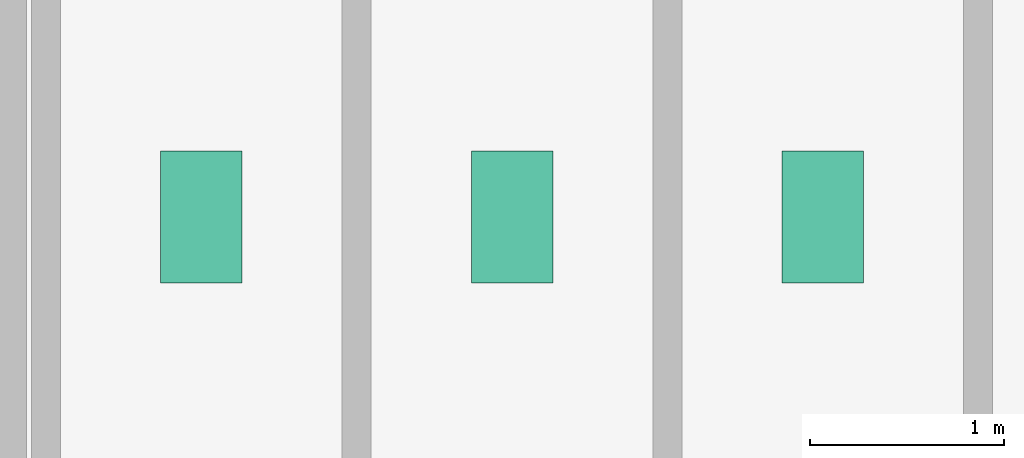
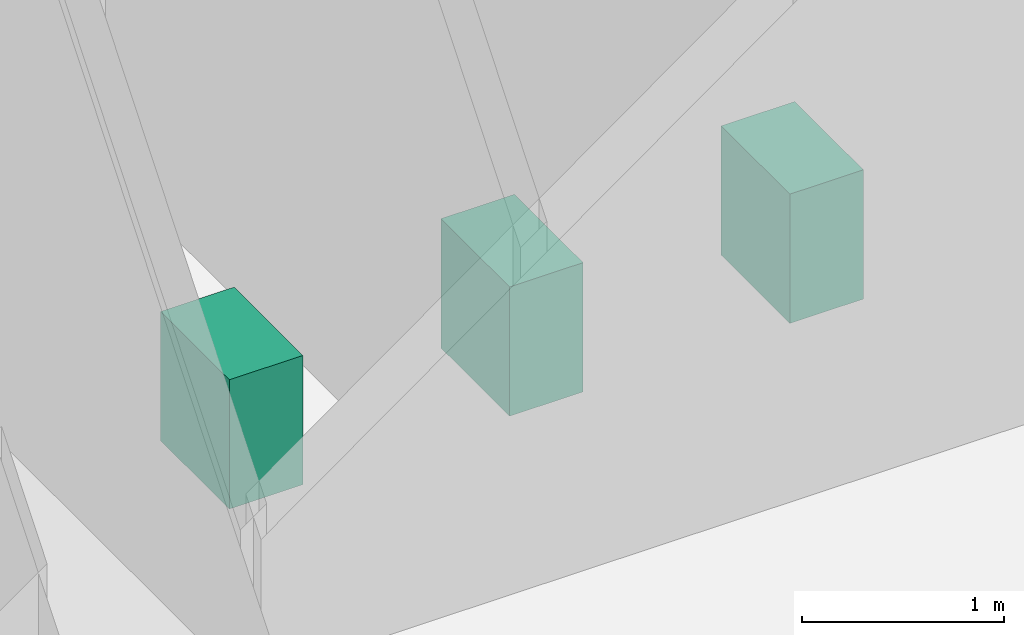
# One storey, part 22 of 22: 3 sanitary terminals.
"""IFC4 building model written with IfcOpenShell, lengths in metres."""

from ifc_helpers import new_model, si_unit, derived_unit, direction, frame, origin, origin_2d, place, context, subcontext, project, spatial, rectangle, extrude, source, transform, mapped, material, type_object, element, save


model = new_model("IFC4")

# Units and contexts
model_context = context("Model", 3, precision=1e-05, world=origin(), true_north=direction((0.0, 1.0)))
body_context = subcontext(model_context, "Body", "Model", "MODEL_VIEW")
ifc_project = project(units=[si_unit("LENGTHUNIT", "METRE"), si_unit("AREAUNIT", "SQUARE_METRE"), si_unit("VOLUMEUNIT", "CUBIC_METRE"), si_unit("PLANEANGLEUNIT", "RADIAN"), si_unit("MASSUNIT", "GRAM", prefix="KILO"), derived_unit("THERMALTRANSMITTANCEUNIT", [(si_unit("POWERUNIT", "WATT"), 1), (si_unit("LENGTHUNIT", "METRE"), -2), (si_unit("THERMODYNAMICTEMPERATUREUNIT", "KELVIN"), -1)])], contexts=[model_context])

# Site, building, storey
site_placement = place(None, origin())
site = spatial("IfcSite", under=ifc_project, at=site_placement, CompositionType="ELEMENT")
building_placement = place(site_placement, origin())
building = spatial("IfcBuilding", under=site, at=building_placement, Name="Skarnbrae Concourse Arena and Tower", CompositionType="ELEMENT")
storey_placement = place(building_placement, frame((0.0, 0.0, 32.5)))
storey = spatial("IfcBuildingStorey", under=building, at=storey_placement, Name="L06", CompositionType="ELEMENT", Elevation=32.5)

# Sanitary terminals
ifc_material = material(Name="Vitreous china sanitaryware", Category="other")
sanitary_terminal_type = type_object("IfcSanitaryTerminalType", Name="SAN-WC-VITREOUS", PredefinedType="TOILETPAN", material=ifc_material)
shared_shape = source(origin(), body_context, "Body", "SweptSolid", [
    extrude(rectangle(XDim=0.419921875, YDim=0.679931640625, at=origin_2d()), origin(), (0.0, 0.0, 1.0), 0.780029296875),
])
for number, where, z_axis, x_axis, name in (
    (1, (35.0, 11.39990234375, 0.0), (0.0, 0.0, 1.0), (1.0, 0.0, 0.0), "L06 Washroom WC fixture 1"),
    (2, (36.60009765625, 11.39990234375, 0.0), (0.0, 0.0, 1.0), (1.0, 0.0, 0.0), "L06 Washroom WC fixture 2"),
    (3, (38.199951171875, 11.39990234375, 0.0), (0.0, 0.0, 1.0), (1.0, 0.0, 0.0), "L06 Washroom WC fixture 3"),
):
    element("IfcSanitaryTerminal", number, at=place(storey_placement, frame(where, z_axis=z_axis, x_axis=x_axis)), inside=storey, type_object=sanitary_terminal_type, Name=name, PredefinedType="TOILETPAN", context=body_context, shape_type="MappedRepresentation", body=[
        mapped(shared_shape, transform((0.0, 0.0, 0.0))),
    ])

save(model, "model.ifc")
